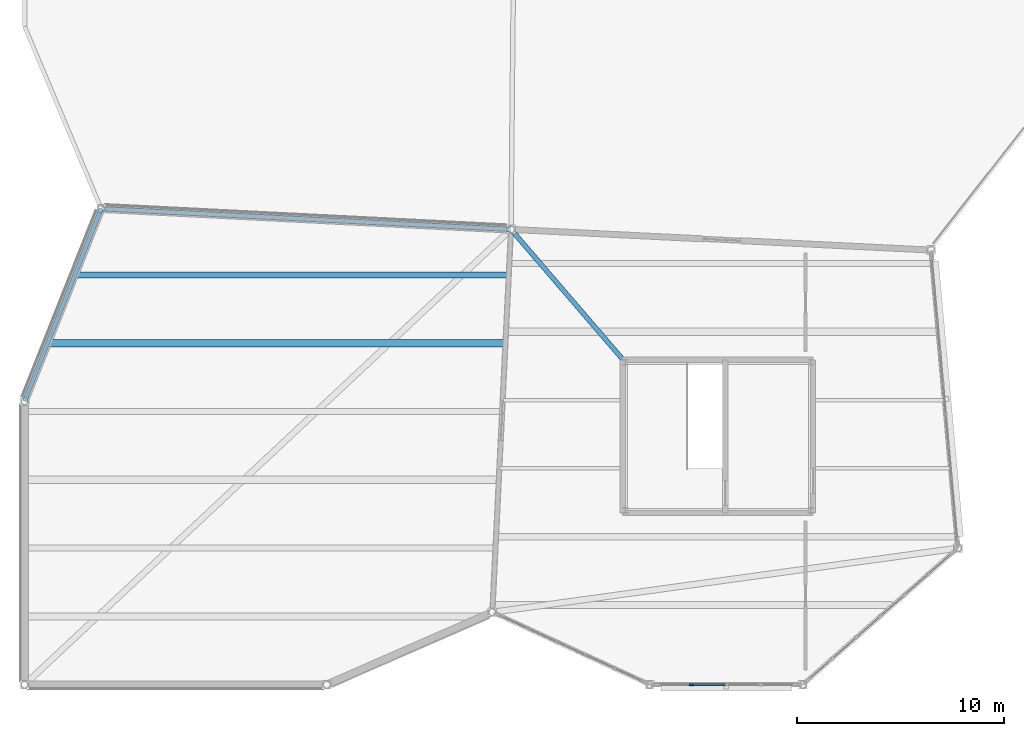
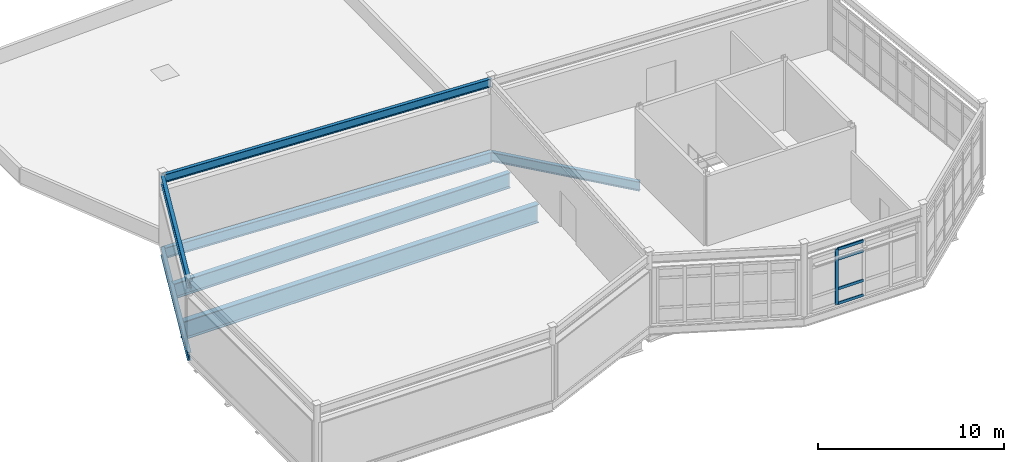
# One storey, part 23 of 114: 7 beams, 5 members, 1 element without a shape of its own.
"""IFC4 building model written with IfcOpenShell, lengths in metres."""

import ifcopenshell
import ifcopenshell.guid

model = None  # the IFC model being written
_history = None  # IfcOwnerHistory: only IFC2X3 demands one
_inside = {}  # id of a spatial element -> (the spatial element, [elements in it])
_under = {}  # id of a project, library or spatial element -> (it, [spatial elements below it])
_declared = {}  # id of a project -> (the project, [libraries it declares])
_typed = {}  # id of a type object -> (the type object, [elements of that type])
_made_of = {}  # id of a material, layer set ... -> (it, [elements and type objects made of it])


def new_model(schema):
    """Start an empty IFC model of exactly this schema.

    Asked for "IFC4X3", IfcOpenShell would pick the latest addendum, in which some entities
    have other attributes; the version numbers below select the first issue.
    IFC2X3 requires an IfcOwnerHistory on every rooted entity: one is made here for all.
    """
    global model, _history
    if schema == "IFC4X3":
        model = ifcopenshell.file(schema_version=(4, 3, 0, 0))
    else:
        model = ifcopenshell.file(schema=schema)
    _inside.clear()
    _under.clear()
    _declared.clear()
    _typed.clear()
    _made_of.clear()
    _history = None
    if model.schema == "IFC2X3":
        org = make("IfcOrganization", Name="unknown")
        user = make(
            "IfcPersonAndOrganization",
            ThePerson=make("IfcPerson", FamilyName="unknown"),
            TheOrganization=org,
        )
        app = make(
            "IfcApplication",
            ApplicationDeveloper=org,
            Version="unknown",
            ApplicationFullName="unknown",
            ApplicationIdentifier="unknown",
        )
        _history = make(
            "IfcOwnerHistory",
            OwningUser=user,
            OwningApplication=app,
            ChangeAction="ADDED",
            CreationDate=0,
        )
    return model


def make(cls, **values):
    """One entity of the class cls with the attributes given. An attribute that is None is left unset."""
    return model.create_entity(
        cls, **{name: value for name, value in values.items() if value is not None}
    )


def rooted(cls, **values):
    """An entity with a GlobalId (a new one), such as an element, a storey or a relation."""
    return make(cls, GlobalId=ifcopenshell.guid.new(), OwnerHistory=_history, **values)


def si_unit(unit_type, name, prefix=None):
    """IfcSIUnit, for example si_unit("LENGTHUNIT", "METRE", prefix="MILLI")."""
    return make("IfcSIUnit", UnitType=unit_type, Prefix=prefix, Name=name)


def assignment(units):
    """IfcUnitAssignment: the units of a project."""
    return None if units is None else make("IfcUnitAssignment", Units=units)


def point(xyz):
    """IfcCartesianPoint."""
    return None if xyz is None else make("IfcCartesianPoint", Coordinates=xyz)


def direction(xyz):
    """IfcDirection."""
    return None if xyz is None else make("IfcDirection", DirectionRatios=xyz)


def frame(location, z_axis=None, x_axis=None):
    """IfcAxis2Placement3D, a coordinate frame: its origin and axes. An axis left out is left unset."""
    return make(
        "IfcAxis2Placement3D",
        Location=point(location),
        Axis=direction(z_axis),
        RefDirection=direction(x_axis),
    )


def frame_2d(location, x_axis=None):
    """IfcAxis2Placement2D, a coordinate frame in the plane: its origin and x axis."""
    return make(
        "IfcAxis2Placement2D", Location=point(location), RefDirection=direction(x_axis)
    )


def origin():
    """The frame at (0, 0, 0) with its axes left unset."""
    return frame((0.0, 0.0, 0.0))


def origin_2d():
    """The frame at (0, 0) in the plane with its x axis left unset."""
    return frame_2d((0.0, 0.0))


def place(relative_to, where):
    """IfcLocalPlacement: puts the frame where relative to a parent placement (None: the world)."""
    return make(
        "IfcLocalPlacement", PlacementRelTo=relative_to, RelativePlacement=where
    )


def context(
    kind, dimensions, precision=None, world=None, true_north=None, identifier=None
):
    """IfcGeometricRepresentationContext, for example the 3D "Model" context."""
    return make(
        "IfcGeometricRepresentationContext",
        ContextIdentifier=identifier,
        ContextType=kind,
        CoordinateSpaceDimension=dimensions,
        Precision=precision,
        WorldCoordinateSystem=world,
        TrueNorth=true_north,
    )


def subcontext(parent, identifier, kind, view, scale=None):
    """IfcGeometricRepresentationSubContext, for example "Body" below "Model"."""
    return make(
        "IfcGeometricRepresentationSubContext",
        ContextIdentifier=identifier,
        ContextType=kind,
        ParentContext=parent,
        TargetScale=scale,
        TargetView=view,
    )


def project(units=None, contexts=None):
    """IfcProject with its units and contexts."""
    return rooted(
        "IfcProject",
        Name="project",
        RepresentationContexts=contexts,
        UnitsInContext=assignment(units),
    )


def spatial(cls, under=None, at=None, **own):
    """A site, building, storey or space (cls), placed at a placement, below another one or the project."""
    s = rooted(cls, ObjectPlacement=at, **own)
    if under is not None:
        _under.setdefault(under.id(), (under, []))[1].append(s)
    return s


def profile(cls, at=None, kind="AREA", **sizes):
    """A parametric profile (cls). Its sizes go by their IFC names, for example OverallWidth=200.0."""
    return make(cls, ProfileType=kind, Position=at, **sizes)


def rectangle(**sizes):
    """IfcRectangleProfileDef."""
    return profile("IfcRectangleProfileDef", **sizes)


def i_section(**sizes):
    """IfcIShapeProfileDef."""
    return profile("IfcIShapeProfileDef", **sizes)


def extrude(swept, where, along, depth):
    """IfcExtrudedAreaSolid: the profile swept, set in the frame where, extruded along a direction by depth."""
    return make(
        "IfcExtrudedAreaSolid",
        SweptArea=swept,
        Position=where,
        ExtrudedDirection=direction(along),
        Depth=depth,
    )


def shape(context_of_items, identifier, shape_type, items):
    """IfcShapeRepresentation: the items that make up one representation, for example the "Body"."""
    return make(
        "IfcShapeRepresentation",
        ContextOfItems=context_of_items,
        RepresentationIdentifier=identifier,
        RepresentationType=shape_type,
        Items=items,
    )


def material(Name=None, Category=None):
    """IfcMaterial."""
    return make("IfcMaterial", Name=Name, Category=Category)


def material_profile(
    of_material, cross_section, Name=None, Category=None, Priority=None
):
    """IfcMaterialProfile: a cross section and its material."""
    return make(
        "IfcMaterialProfile",
        Name=Name,
        Material=of_material,
        Profile=cross_section,
        Priority=Priority,
        Category=Category,
    )


def profile_set(profiles, Name=None, composite=None):
    """IfcMaterialProfileSet."""
    return make(
        "IfcMaterialProfileSet",
        Name=Name,
        MaterialProfiles=profiles,
        CompositeProfile=composite,
    )


def made_of(thing, what):
    """Note that an element or type object is made of a material, layer set ...; save() writes the relation."""
    if what is not None:
        _made_of.setdefault(what.id(), (what, []))[1].append(thing)
    return thing


def type_object(cls, material=None, **own):
    """A type object (cls), such as IfcWallType, which elements share."""
    return made_of(rooted(cls, **own), material)


def element(
    cls,
    number,
    at=None,
    inside=None,
    cuts=None,
    type_object=None,
    material=None,
    context=None,
    identifier="Body",
    shape_type=None,
    held_by="IfcProductDefinitionShape",
    body=None,
    shapes=None,
    **own,
):
    """One element of the class cls, such as IfcWall. Its Tag is "e" and its number.

    at: its placement. inside: the storey or other place that contains it. cuts: it is an
    opening in that element (IfcRelVoidsElement). A single representation is given by context,
    identifier, shape_type and body (its items); several are given by shapes. held_by: the class
    of the entity that holds the representations. save() writes the other relations.
    """
    e = rooted(cls, Tag="e%d" % number, ObjectPlacement=at, **own)
    if body is not None:
        shapes = [shape(context, identifier, shape_type, body)]
    if shapes is not None:
        e.Representation = make(held_by, Representations=shapes)
    if inside is not None:
        _inside.setdefault(inside.id(), (inside, []))[1].append(e)
    if cuts is not None:
        rooted(
            "IfcRelVoidsElement", RelatingBuildingElement=cuts, RelatedOpeningElement=e
        )
    if type_object is not None:
        _typed.setdefault(type_object.id(), (type_object, []))[1].append(e)
    return made_of(e, material)


def aggregate(whole, parts):
    """IfcRelAggregates: a whole, such as a stair, and the parts it consists of."""
    return rooted("IfcRelAggregates", RelatingObject=whole, RelatedObjects=parts)


def save(model, path):
    """Write the relations noted so far, then the file.

    IfcRelAggregates (storeys below a building ...), IfcRelContainedInSpatialStructure (elements
    in a storey), IfcRelDefinesByType, IfcRelAssociatesMaterial and IfcRelDeclares: one each for
    every whole, place, type object, material and project.
    """
    for whole, parts in _under.values():
        aggregate(whole, parts)
    for where, things in _inside.values():
        rooted(
            "IfcRelContainedInSpatialStructure",
            RelatedElements=things,
            RelatingStructure=where,
        )
    for kind, things in _typed.values():
        rooted("IfcRelDefinesByType", RelatedObjects=things, RelatingType=kind)
    for what, things in _made_of.values():
        rooted("IfcRelAssociatesMaterial", RelatedObjects=things, RelatingMaterial=what)
    for by, libraries in _declared.values():
        rooted("IfcRelDeclares", RelatingContext=by, RelatedDefinitions=libraries)
    model.write(path)


model = new_model("IFC4")

# Units and contexts
model_context = context("Model", 3, precision=1e-05, world=origin(), true_north=direction((0.0, 1.0)))
body_context = subcontext(model_context, "Body", "Model", "MODEL_VIEW")
ifc_project = project(units=[si_unit("LENGTHUNIT", "METRE"), si_unit("AREAUNIT", "SQUARE_METRE"), si_unit("VOLUMEUNIT", "CUBIC_METRE"), si_unit("PLANEANGLEUNIT", "RADIAN"), si_unit("MASSUNIT", "GRAM", prefix="KILO")], contexts=[model_context])

# Site, building, storey
site_placement = place(None, origin())
site = spatial("IfcSite", under=ifc_project, at=site_placement, CompositionType="ELEMENT")
building_placement = place(site_placement, origin())
building = spatial("IfcBuilding", under=site, at=building_placement, Name="Tameran Prism Museum", CompositionType="ELEMENT")
storey_placement = place(building_placement, frame((0.0, 0.0, 10.199951171875)))
storey = spatial("IfcBuildingStorey", under=building, at=storey_placement, Name="L02", CompositionType="ELEMENT", Elevation=10.199951171875)

# Beams
ifc_material_1 = material(Name="Steel Grade 300PLUS (300 MPa)", Category="steel")
ifc_material_profile_1 = material_profile(ifc_material_1, i_section(OverallWidth=0.208984375, OverallDepth=0.532958984375, WebThickness=0.01025390625, FlangeThickness=0.015625, FilletRadius=0.013916015625, at=origin_2d()))
ifc_profile_set_1 = profile_set([ifc_material_profile_1])
beam_type_1 = type_object("IfcBeamType", Name="BM-SP530A", PredefinedType="SPANDREL", material=ifc_profile_set_1)
beam_1_placement = place(storey_placement, frame((3.699951171875, 23.0, -0.466552734375), z_axis=(-0.369661561468, -0.929166470538, 0.0), x_axis=(0.929166470538, -0.369661561468, 0.0)))
element("IfcBeam", 1, at=beam_1_placement, inside=storey, type_object=beam_type_1, Name="Perimeter Spandrel SP-0706", PredefinedType="SPANDREL", context=body_context, shape_type="SweptSolid", body=[
    extrude(i_section(OverallWidth=0.208984375, OverallDepth=0.532958984375, WebThickness=0.01025390625, FlangeThickness=0.015625, FilletRadius=0.013916015625, at=origin_2d()), origin(), (0.0, 0.0, 1.0), 10.009033203125),
])
ifc_material_2 = material(Name="Steel Grade 300PLUS (300 MPa)", Category="steel")
ifc_material_profile_2 = material_profile(ifc_material_2, i_section(OverallWidth=0.208984375, OverallDepth=0.528076171875, WebThickness=0.009521484375, FlangeThickness=0.01318359375, FilletRadius=0.013916015625, at=origin_2d()))
ifc_profile_set_2 = profile_set([ifc_material_profile_2])
beam_type_2 = type_object("IfcBeamType", Name="BM-SP530B", PredefinedType="SPANDREL", material=ifc_profile_set_2)
beam_2_placement = place(storey_placement, frame((23.5, 22.0, 4.2861328125), z_axis=(-0.99872706092, 0.050440636263, 0.0), x_axis=(-0.050440636263, -0.99872706092, 0.0)))
element("IfcBeam", 2, at=beam_2_placement, inside=storey, type_object=beam_type_2, Name="Roof Ring Beam RB-0711", PredefinedType="SPANDREL", context=body_context, shape_type="SweptSolid", body=[
    extrude(i_section(OverallWidth=0.208984375, OverallDepth=0.528076171875, WebThickness=0.009521484375, FlangeThickness=0.01318359375, FilletRadius=0.013916015625, at=origin_2d()), origin(), (0.0, 0.0, 1.0), 19.8251953125),
])
beam_3_placement = place(storey_placement, frame((3.699951171875, 23.0, 4.2861328125), z_axis=(-0.369661561468, -0.929166470538, 0.0), x_axis=(0.929166470538, -0.369661561468, 0.0)))
element("IfcBeam", 3, at=beam_3_placement, inside=storey, type_object=beam_type_2, Name="Roof Ring Beam RB-0712", PredefinedType="SPANDREL", context=body_context, shape_type="SweptSolid", body=[
    extrude(i_section(OverallWidth=0.208984375, OverallDepth=0.528076171875, WebThickness=0.009521484375, FlangeThickness=0.01318359375, FilletRadius=0.013916015625, at=origin_2d()), origin(), (0.0, 0.0, 1.0), 10.009033203125),
])
ifc_material_3 = material(Name="Steel Grade 350 (350 MPa)", Category="steel")
ifc_material_profile_3 = material_profile(ifc_material_3, i_section(OverallWidth=0.25, OverallDepth=0.699951171875, WebThickness=0.010009765625, FlangeThickness=0.02001953125, at=origin_2d()))
ifc_profile_set_3 = profile_set([ifc_material_profile_3])
beam_type_3 = type_object("IfcBeamType", Name="BM-SP700", PredefinedType="SPANDREL", material=ifc_profile_set_3)
beam_4_placement = place(storey_placement, frame((23.5, 22.0, -0.599853515625), z_axis=(-0.99872706092, 0.050440636263, 0.0), x_axis=(-0.050440636263, -0.99872706092, 0.0)))
element("IfcBeam", 4, at=beam_4_placement, inside=storey, type_object=beam_type_3, Name="Perimeter Spandrel SP-0705", PredefinedType="SPANDREL", context=body_context, shape_type="SweptSolid", body=[
    extrude(i_section(OverallWidth=0.25, OverallDepth=0.699951171875, WebThickness=0.010009765625, FlangeThickness=0.02001953125, at=origin_2d()), origin(), (0.0, 0.0, 1.0), 19.8251953125),
])
ifc_material_4 = material(Name="Steel Grade 300PLUS (300 MPa)", Category="steel")
ifc_material_profile_4 = material_profile(ifc_material_4, i_section(OverallWidth=0.22900390625, OverallDepth=0.612060546875, WebThickness=0.011962890625, FlangeThickness=0.01953125, FilletRadius=0.013916015625, at=origin_2d()))
ifc_profile_set_4 = profile_set([ifc_material_profile_4])
beam_type_4 = type_object("IfcBeamType", Name="BM-UB610A", PredefinedType="BEAM", material=ifc_profile_set_4)
beam_5_placement = place(storey_placement, frame((29.02001953125, 15.580078125, -0.56005859375), z_axis=(-0.651963680124, 0.758250196043, 0.0), x_axis=(-0.758250196043, -0.651963680124, 0.0)))
element("IfcBeam", 5, at=beam_5_placement, inside=storey, type_object=beam_type_4, Name="Frame Tie Girder FG-1425", PredefinedType="BEAM", context=body_context, shape_type="SweptSolid", body=[
    extrude(i_section(OverallWidth=0.22900390625, OverallDepth=0.612060546875, WebThickness=0.011962890625, FlangeThickness=0.01953125, FilletRadius=0.013916015625, at=origin_2d()), origin(), (0.0, 0.0, 1.0), 8.466796875),
])
ifc_material_5 = material(Name="Steel Grade 350 (350 MPa)", Category="steel")
ifc_material_profile_5 = material_profile(ifc_material_5, i_section(OverallWidth=0.300048828125, OverallDepth=1.0, WebThickness=0.01611328125, FlangeThickness=0.031982421875, at=origin_2d()))
ifc_profile_set_5 = profile_set([ifc_material_profile_5])
beam_type_5 = type_object("IfcBeamType", Name="BM-WB1000", PredefinedType="BEAM", material=ifc_profile_set_5)
beam_6_placement = place(storey_placement, frame((2.469970703125, 19.800048828125, -0.699951171875), z_axis=(1.0, 0.0, 0.0), x_axis=(0.0, 1.0, 0.0)))
element("IfcBeam", 6, at=beam_6_placement, inside=storey, type_object=beam_type_5, Name="Floor Beam BM-0896", PredefinedType="BEAM", context=body_context, shape_type="SweptSolid", body=[
    extrude(i_section(OverallWidth=0.300048828125, OverallDepth=1.0, WebThickness=0.01611328125, FlangeThickness=0.031982421875, at=origin_2d()), origin(), (0.0, 0.0, 1.0), 20.883056640625),
])
ifc_material_6 = material(Name="Steel Grade 350 (350 MPa)", Category="steel")
ifc_material_profile_6 = material_profile(ifc_material_6, i_section(OverallWidth=0.35009765625, OverallDepth=1.199951171875, WebThickness=0.01611328125, FlangeThickness=0.035888671875, at=origin_2d()))
ifc_profile_set_6 = profile_set([ifc_material_profile_6])
beam_type_6 = type_object("IfcBeamType", Name="BM-WB1200", PredefinedType="BEAM", material=ifc_profile_set_6)
beam_7_placement = place(storey_placement, frame((1.156982421875, 16.5, -0.800048828125), z_axis=(1.0, 0.0, 0.0), x_axis=(0.0, 1.0, 0.0)))
element("IfcBeam", 7, at=beam_7_placement, inside=storey, type_object=beam_type_6, Name="Floor Beam BM-0895", PredefinedType="BEAM", context=body_context, shape_type="SweptSolid", body=[
    extrude(i_section(OverallWidth=0.35009765625, OverallDepth=1.199951171875, WebThickness=0.01611328125, FlangeThickness=0.035888671875, at=origin_2d()), origin(), (0.0, 0.0, 1.0), 22.034912109375),
])

# Curtain wall, members
ifc_material_7 = material(Name="Anodised Aluminium 6063-T6 and Cyclone Solar Glass", Category="aluminium")
curtain_wall_type = type_object("IfcCurtainWallType", Name="CW-FAC-670x362", PredefinedType="USERDEFINED", material=ifc_material_7)
curtain_wall_placement = place(storey_placement, origin())
curtain_wall = element("IfcCurtainWall", 8, at=curtain_wall_placement, inside=storey, type_object=curtain_wall_type, Name="Unitised Curtain Wall CW-121", ObjectType="UNITISED CURTAIN WALL", PredefinedType="USERDEFINED")
ifc_material_8 = material(Name="Anodised Aluminium Alloy 6063-T6", Category="aluminium")
ifc_material_profile_7 = material_profile(ifc_material_8, rectangle(XDim=0.074951171875, YDim=0.199951171875, at=origin_2d()))
ifc_profile_set_7 = profile_set([ifc_material_profile_7])
member_type_1 = type_object("IfcMemberType", Name="CW-MUL-C", PredefinedType="MULLION", material=ifc_profile_set_7)
member_1_placement = place(storey_placement, frame((32.22509765625, 0.0, 0.0), z_axis=(0.0, 0.0, 1.0), x_axis=(0.0, -1.0, 0.0)))
member_1 = element("IfcMember", 9, at=member_1_placement, type_object=member_type_1, Name="CW-121 mullion 4", PredefinedType="MULLION", context=body_context, shape_type="SweptSolid", body=[
    extrude(rectangle(XDim=0.074951171875, YDim=0.199951171875, at=origin_2d()), origin(), (0.0, 0.0, 1.0), 3.6201171875),
])
ifc_material_9 = material(Name="Anodised Aluminium Alloy 6063-T6", Category="aluminium")
ifc_material_profile_8 = material_profile(ifc_material_9, rectangle(XDim=0.074951171875, YDim=0.175048828125, at=origin_2d()))
ifc_profile_set_8 = profile_set([ifc_material_profile_8])
member_type_2 = type_object("IfcMemberType", Name="CW-TRN-C", PredefinedType="USERDEFINED", material=ifc_profile_set_8)
member_2_placement = place(storey_placement, frame((33.862548828125, 0.0, 0.03759765625), z_axis=(-1.0, 0.0, 0.0), x_axis=(0.0, -1.0, 0.0)))
member_2 = element("IfcMember", 10, at=member_2_placement, type_object=member_type_2, Name="CW-121 transom 3.1", ObjectType="TRANSOM", PredefinedType="USERDEFINED", context=body_context, shape_type="SweptSolid", body=[
    extrude(rectangle(XDim=0.074951171875, YDim=0.175048828125, at=origin_2d()), origin(), (0.0, 0.0, 1.0), 1.60009765625),
])
member_3_placement = place(storey_placement, frame((33.862548828125, 0.0, 1.0), z_axis=(-1.0, 0.0, 0.0), x_axis=(0.0, -1.0, 0.0)))
member_3 = element("IfcMember", 11, at=member_3_placement, type_object=member_type_2, Name="CW-121 transom 3.2", ObjectType="TRANSOM", PredefinedType="USERDEFINED", context=body_context, shape_type="SweptSolid", body=[
    extrude(rectangle(XDim=0.074951171875, YDim=0.175048828125, at=origin_2d()), origin(), (0.0, 0.0, 1.0), 1.60009765625),
])
member_4_placement = place(storey_placement, frame((33.862548828125, 0.0, 2.93994140625), z_axis=(-1.0, 0.0, 0.0), x_axis=(0.0, -1.0, 0.0)))
member_4 = element("IfcMember", 12, at=member_4_placement, type_object=member_type_2, Name="CW-121 transom 3.3", ObjectType="TRANSOM", PredefinedType="USERDEFINED", context=body_context, shape_type="SweptSolid", body=[
    extrude(rectangle(XDim=0.074951171875, YDim=0.175048828125, at=origin_2d()), origin(), (0.0, 0.0, 1.0), 1.60009765625),
])
member_5_placement = place(storey_placement, frame((33.862548828125, 0.0, 3.58251953125), z_axis=(-1.0, 0.0, 0.0), x_axis=(0.0, -1.0, 0.0)))
member_5 = element("IfcMember", 13, at=member_5_placement, type_object=member_type_2, Name="CW-121 transom 3.4", ObjectType="TRANSOM", PredefinedType="USERDEFINED", context=body_context, shape_type="SweptSolid", body=[
    extrude(rectangle(XDim=0.074951171875, YDim=0.175048828125, at=origin_2d()), origin(), (0.0, 0.0, 1.0), 1.60009765625),
])
aggregate(curtain_wall, [member_1, member_2, member_3, member_4, member_5])

save(model, "model.ifc")
